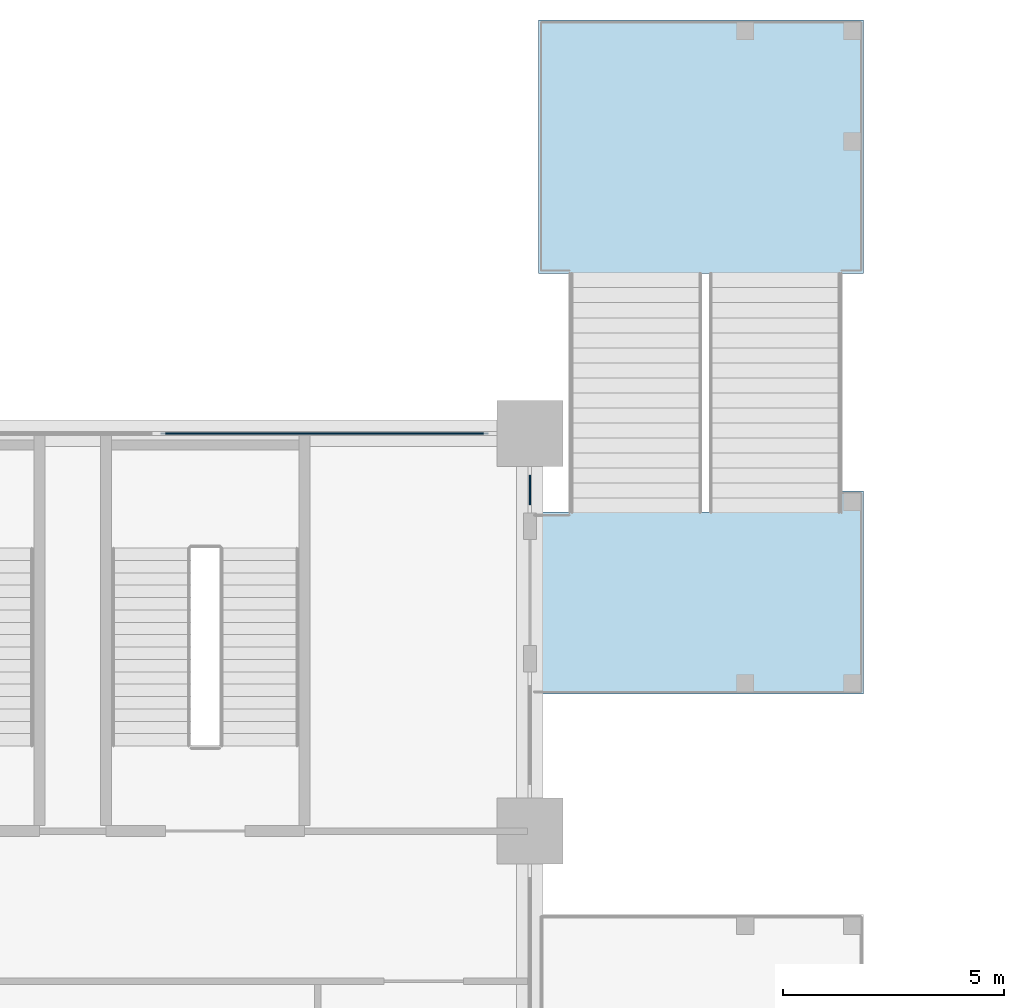
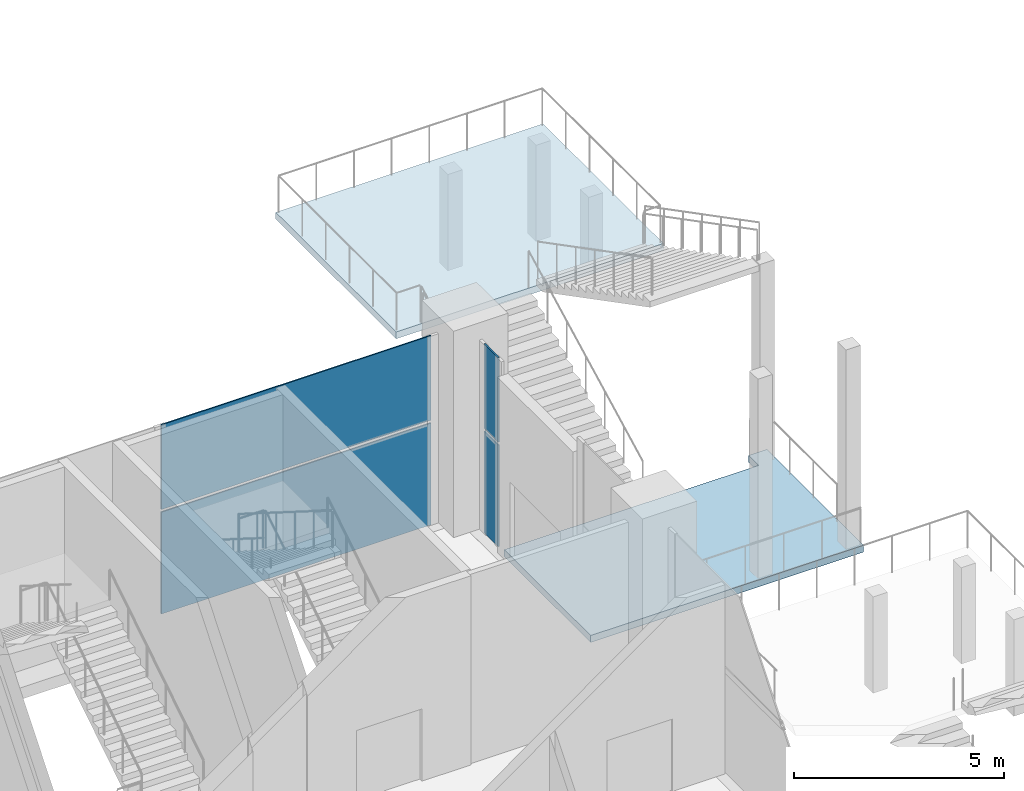
# One storey, part 18 of 47: 4 plates, 2 slabs, 3 elements without a shape of their own.
"""IFC4 building model written with IfcOpenShell, lengths in metres."""

from ifc_helpers import new_model, si_unit, direction, frame, origin, origin_2d, place, context, subcontext, project, spatial, polyline, rectangle, outline, extrude, material, layer, layer_set, type_object, element, aggregate, save


model = new_model("IFC4")

# Units and contexts
model_context = context("Model", 3, precision=1e-05, world=origin(), true_north=direction((0.0, 1.0)))
body_context = subcontext(model_context, "Body", "Model", "MODEL_VIEW")
ifc_project = project(units=[si_unit("LENGTHUNIT", "METRE"), si_unit("AREAUNIT", "SQUARE_METRE"), si_unit("VOLUMEUNIT", "CUBIC_METRE"), si_unit("PLANEANGLEUNIT", "RADIAN"), si_unit("MASSUNIT", "GRAM", prefix="KILO")], contexts=[model_context])

# Site, building, storey
site_placement = place(None, origin())
site = spatial("IfcSite", under=ifc_project, at=site_placement, CompositionType="ELEMENT")
building_placement = place(site_placement, origin())
building = spatial("IfcBuilding", under=site, at=building_placement, Name="Candeia Pilgrim Tower and Theatre", CompositionType="ELEMENT")
storey_placement = place(building_placement, frame((0.0, 0.0, 23.0)))
storey = spatial("IfcBuildingStorey", under=building, at=storey_placement, Name="L03", CompositionType="ELEMENT", Elevation=23.0)

# Curtain wall, plates
ifc_material_1 = material(Name="Aluminium framed podium glazing", Category="aluminium")
curtain_wall_type = type_object("IfcCurtainWallType", Name="CW-P curtain wall", PredefinedType="NOTDEFINED", material=ifc_material_1)
curtain_wall_1_placement = place(storey_placement, origin())
curtain_wall_1 = element("IfcCurtainWall", 1, at=curtain_wall_1_placement, inside=storey, type_object=curtain_wall_type, Name="Curtain wall CW-P L03.170", PredefinedType="NOTDEFINED")
ifc_material_2 = material(Name="Laminated low-iron glass 2 x 8 mm", Category="glass")
ifc_layer_1 = layer(ifc_material_2, 0.035888671875)
ifc_layer_set_1 = layer_set([ifc_layer_1], Name="CW-P glass panel 36")
plate_type = type_object("IfcPlateType", Name="CW-P glass panel 36", PredefinedType="CURTAIN_PANEL", material=ifc_layer_set_1)
plate_1_placement = place(storey_placement, frame((154.949951171875, 144.800048828125, 0.0), z_axis=(0.0, 0.0, 1.0), x_axis=(1.0, 0.0, 0.0)))
plate_1 = element("IfcPlate", 2, at=plate_1_placement, type_object=plate_type, Name="CW-P panel 2.1", PredefinedType="CURTAIN_PANEL", context=body_context, shape_type="SweptSolid", body=[
    extrude(rectangle(XDim=7.419921875, YDim=0.035888671875, at=origin_2d()), origin(), (0.0, 0.0, 1.0), 2.9599609375),
])
plate_2_placement = place(storey_placement, frame((154.949951171875, 144.800048828125, 3.0400390625), z_axis=(0.0, 0.0, 1.0), x_axis=(1.0, 0.0, 0.0)))
plate_2 = element("IfcPlate", 3, at=plate_2_placement, type_object=plate_type, Name="CW-P panel 2.2", PredefinedType="CURTAIN_PANEL", context=body_context, shape_type="SweptSolid", body=[
    extrude(rectangle(XDim=7.419921875, YDim=0.035888671875, at=origin_2d()), origin(), (0.0, 0.0, 1.0), 2.4599609375),
])
aggregate(curtain_wall_1, [plate_1, plate_2])

curtain_wall_2_placement = place(storey_placement, origin())
curtain_wall_2 = element("IfcCurtainWall", 4, at=curtain_wall_2_placement, inside=storey, type_object=curtain_wall_type, Name="Curtain wall CW-P L03.200", PredefinedType="NOTDEFINED")
plate_3_placement = place(storey_placement, frame((159.60009765625, 143.52490234375, 0.0), z_axis=(0.0, 0.0, 1.0), x_axis=(0.0, -1.0, 0.0)))
plate_3 = element("IfcPlate", 5, at=plate_3_placement, type_object=plate_type, Name="CW-P panel 1.1", PredefinedType="CURTAIN_PANEL", context=body_context, shape_type="SweptSolid", body=[
    extrude(rectangle(XDim=0.669921875, YDim=0.035888671875, at=origin_2d()), origin(), (0.0, 0.0, 1.0), 2.9599609375),
])
plate_4_placement = place(storey_placement, frame((159.60009765625, 143.52490234375, 3.0400390625), z_axis=(0.0, 0.0, 1.0), x_axis=(0.0, -1.0, 0.0)))
plate_4 = element("IfcPlate", 6, at=plate_4_placement, type_object=plate_type, Name="CW-P panel 1.2", PredefinedType="CURTAIN_PANEL", context=body_context, shape_type="SweptSolid", body=[
    extrude(rectangle(XDim=0.669921875, YDim=0.035888671875, at=origin_2d()), origin(), (0.0, 0.0, 1.0), 2.4599609375),
])
aggregate(curtain_wall_2, [plate_3, plate_4])

# Slab
ifc_material_3 = material(Name="Concrete C40/50", Category="concrete")
ifc_layer_2 = layer(ifc_material_3, 0.199951171875)
ifc_layer_set_2 = layer_set([ifc_layer_2], Name="SL-EXT stair landing")
slab_type = type_object("IfcSlabType", Name="SL-EXT stair landing", PredefinedType="LANDING", material=ifc_layer_set_2)
slab_1_placement = place(storey_placement, frame((0.0, 0.0, -0.199951171875)))
element("IfcSlab", 7, at=slab_1_placement, inside=storey, type_object=slab_type, Name="L03 External escape stair ES2 floor landing", PredefinedType="LANDING", context=body_context, shape_type="SweptSolid", body=[
    extrude(outline(polyline([(159.64990234375, 138.89990234375), (159.64990234375, 143.02001953125), (166.64990234375, 143.02001953125), (166.64990234375, 143.5), (167.14990234375, 143.5), (167.14990234375, 138.89990234375), (159.64990234375, 138.89990234375)])), origin(), (0.0, 0.0, 1.0), 0.199951171875),
])

# Stair, slab
stair_type = type_object("IfcStairType", Name="ST-EXT external escape stair", PredefinedType="HALF_TURN_STAIR", material=ifc_material_3)
stair_placement = place(storey_placement, origin())
stair = element("IfcStair", 8, at=stair_placement, inside=storey, type_object=stair_type, Name="L03 External escape stair ES2", PredefinedType="HALF_TURN_STAIR")
slab_2_placement = place(storey_placement, frame((0.0, 0.0, 2.800048828125)))
slab_2 = element("IfcSlab", 9, at=slab_2_placement, type_object=slab_type, Name="L03 External escape stair ES2 landing", PredefinedType="LANDING", context=body_context, shape_type="SweptSolid", body=[
    extrude(outline(polyline([(159.800048828125, 148.419921875), (159.800048828125, 154.159912109375), (167.14990234375, 154.159912109375), (167.14990234375, 148.419921875), (159.800048828125, 148.419921875)])), origin(), (0.0, 0.0, 1.0), 0.199951171875),
])
aggregate(stair, [slab_2])

save(model, "model.ifc")
